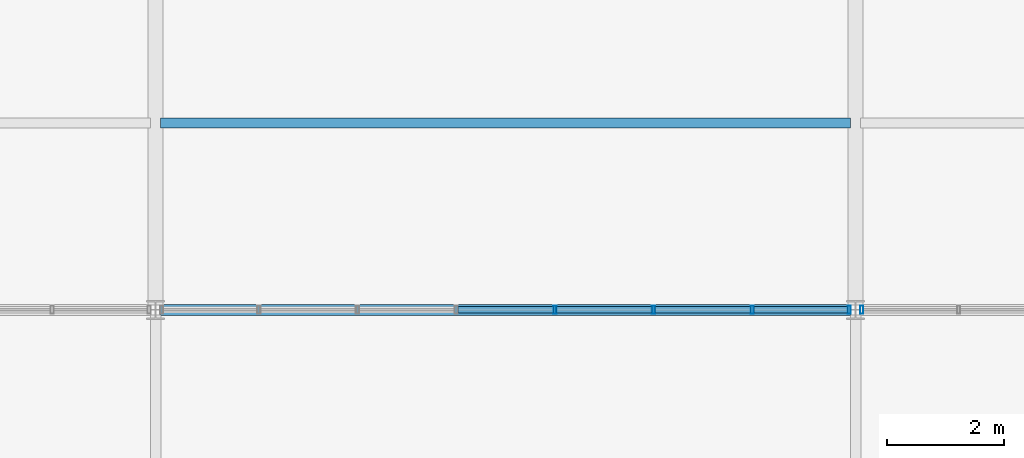
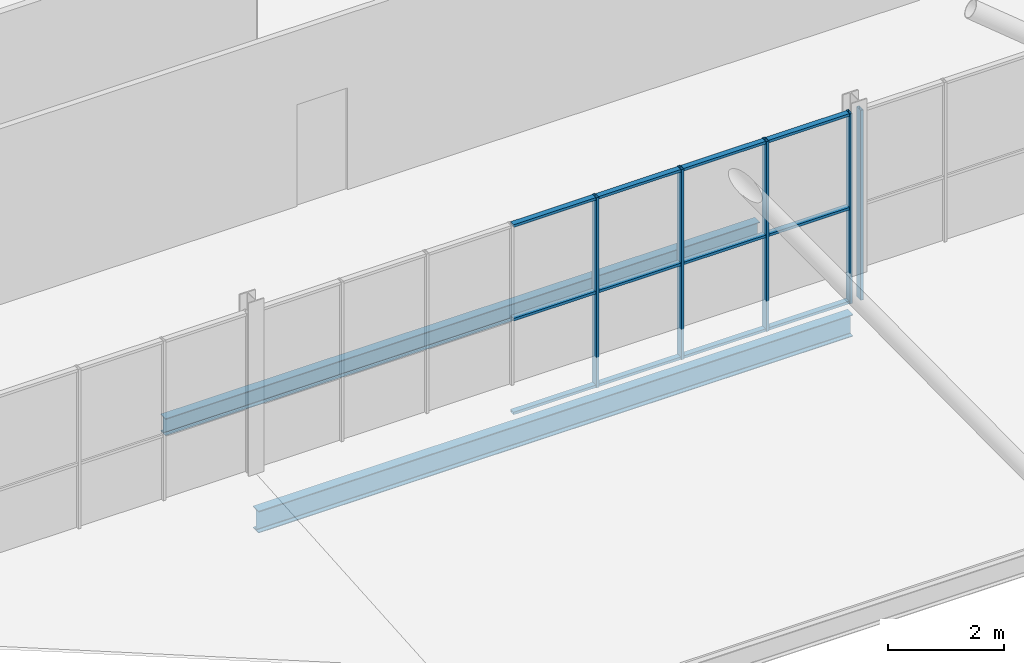
# One storey, part 187 of 324: 17 members, 2 beams, 2 elements without a shape of their own.
"""IFC4 building model written with IfcOpenShell, lengths in metres."""

from ifc_helpers import new_model, si_unit, direction, frame, origin, origin_2d, place, context, subcontext, project, spatial, hollow_rectangle, i_section, extrude, material, layer, layer_set, material_profile, profile_set, type_object, element, aggregate, save


model = new_model("IFC4")

# Units and contexts
model_context = context("Model", 3, precision=1e-05, world=origin(), true_north=direction((0.0, 1.0)))
body_context = subcontext(model_context, "Body", "Model", "MODEL_VIEW")
ifc_project = project(units=[si_unit("LENGTHUNIT", "METRE"), si_unit("AREAUNIT", "SQUARE_METRE"), si_unit("VOLUMEUNIT", "CUBIC_METRE"), si_unit("PLANEANGLEUNIT", "RADIAN"), si_unit("MASSUNIT", "GRAM", prefix="KILO")], contexts=[model_context])

# Site, building, storey
site_placement = place(None, origin())
site = spatial("IfcSite", under=ifc_project, at=site_placement, CompositionType="ELEMENT")
building_placement = place(site_placement, origin())
building = spatial("IfcBuilding", under=site, at=building_placement, Name="Solvenia Promenade Tram Depot", CompositionType="ELEMENT")
storey_placement = place(building_placement, frame((0.0, 0.0, 4.5)))
storey = spatial("IfcBuildingStorey", under=building, at=storey_placement, Name="L01", CompositionType="ELEMENT", Elevation=4.5)

# Curtain wall, members
ifc_material_1 = material(Name="Anodized aluminium AW-6063 T6", Category="aluminium")
ifc_layer = layer(ifc_material_1, 0.179931640625, Name="Anodized aluminium AW-6063 T6", Category="aluminium")
ifc_layer_set = layer_set([ifc_layer], Name="Anodized aluminium AW-6063 T6")
curtain_wall_type = type_object("IfcCurtainWallType", Name="CW-Prom-1800", PredefinedType="NOTDEFINED", material=ifc_layer_set)
curtain_wall_1_placement = place(storey_placement, origin())
curtain_wall_1 = element("IfcCurtainWall", 1, at=curtain_wall_1_placement, inside=storey, type_object=curtain_wall_type, Name="Curtain Wall CW-V5S-L1-04", PredefinedType="NOTDEFINED")
ifc_material_profile_1 = material_profile(ifc_material_1, hollow_rectangle(XDim=0.139892578125, YDim=0.054931640625, WallThickness=0.00390625, at=origin_2d()), Name="ALU-M4", Category="aluminium")
ifc_profile_set_1 = profile_set([ifc_material_profile_1], Name="Anodized aluminium AW-6063 T6")
member_type_1 = type_object("IfcMemberType", Name="CWM-Mullion-4", PredefinedType="MULLION", material=ifc_profile_set_1)
member_1_placement = place(storey_placement, frame((168.845703125, 8.0, 0.0), z_axis=(0.0, 0.0, 1.0), x_axis=(0.0, 1.0, 0.0)))
member_1 = element("IfcMember", 2, at=member_1_placement, type_object=member_type_1, Name="CW-9 mullion 5", PredefinedType="MULLION", context=body_context, shape_type="SweptSolid", body=[
    extrude(hollow_rectangle(XDim=0.139892578125, YDim=0.054931640625, WallThickness=0.00390625, at=origin_2d()), origin(), (0.0, 0.0, 1.0), 4.0),
])
member_2_placement = place(storey_placement, frame((170.537109375, 8.0, 0.0), z_axis=(0.0, 0.0, 1.0), x_axis=(0.0, 1.0, 0.0)))
member_2 = element("IfcMember", 3, at=member_2_placement, type_object=member_type_1, Name="CW-9 mullion 6", PredefinedType="MULLION", context=body_context, shape_type="SweptSolid", body=[
    extrude(hollow_rectangle(XDim=0.139892578125, YDim=0.054931640625, WallThickness=0.00390625, at=origin_2d()), origin(), (0.0, 0.0, 1.0), 4.0),
])
member_3_placement = place(storey_placement, frame((172.228515625, 8.0, 0.0), z_axis=(0.0, 0.0, 1.0), x_axis=(0.0, 1.0, 0.0)))
member_3 = element("IfcMember", 4, at=member_3_placement, type_object=member_type_1, Name="CW-9 mullion 7", PredefinedType="MULLION", context=body_context, shape_type="SweptSolid", body=[
    extrude(hollow_rectangle(XDim=0.139892578125, YDim=0.054931640625, WallThickness=0.00390625, at=origin_2d()), origin(), (0.0, 0.0, 1.0), 4.0),
])
member_4_placement = place(storey_placement, frame((173.892578125, 8.0, 0.0), z_axis=(0.0, 0.0, 1.0), x_axis=(0.0, 1.0, 0.0)))
member_4 = element("IfcMember", 5, at=member_4_placement, type_object=member_type_1, Name="CW-9 mullion 8", PredefinedType="MULLION", context=body_context, shape_type="SweptSolid", body=[
    extrude(hollow_rectangle(XDim=0.139892578125, YDim=0.054931640625, WallThickness=0.00390625, at=origin_2d()), origin(), (0.0, 0.0, 1.0), 4.0),
])

# Curtain wall, member
curtain_wall_2_placement = place(storey_placement, origin())
curtain_wall_2 = element("IfcCurtainWall", 6, at=curtain_wall_2_placement, inside=storey, type_object=curtain_wall_type, Name="Curtain Wall CW-V5S-L1-05", PredefinedType="NOTDEFINED")
member_5_placement = place(storey_placement, frame((174.107421875, 8.0, 0.0), z_axis=(0.0, 0.0, 1.0), x_axis=(0.0, 1.0, 0.0)))
member_5 = element("IfcMember", 7, at=member_5_placement, type_object=member_type_1, Name="CW-9 mullion 1", PredefinedType="MULLION", context=body_context, shape_type="SweptSolid", body=[
    extrude(hollow_rectangle(XDim=0.139892578125, YDim=0.054931640625, WallThickness=0.00390625, at=origin_2d()), origin(), (0.0, 0.0, 1.0), 4.0),
])
aggregate(curtain_wall_2, [member_5])

# Member
ifc_material_profile_2 = material_profile(ifc_material_1, hollow_rectangle(XDim=0.110107421875, YDim=0.054931640625, WallThickness=0.00390625, at=origin_2d()), Name="ALU-T4", Category="aluminium")
ifc_profile_set_2 = profile_set([ifc_material_profile_2], Name="Anodized aluminium AW-6063 T6")
member_type_2 = type_object("IfcMemberType", Name="CWT-Transom-4", PredefinedType="USERDEFINED", material=ifc_profile_set_2)
member_6_placement = place(storey_placement, frame((167.181884765625, 8.0, 0.027587890625), z_axis=(1.0, 0.0, 0.0), x_axis=(0.0, 1.0, 0.0)))
member_6 = element("IfcMember", 8, at=member_6_placement, type_object=member_type_2, Name="CW-9 transom 4.1", ObjectType="TRANSOM", PredefinedType="USERDEFINED", context=body_context, shape_type="SweptSolid", body=[
    extrude(hollow_rectangle(XDim=0.110107421875, YDim=0.054931640625, WallThickness=0.00390625, at=origin_2d()), origin(), (0.0, 0.0, 1.0), 1.63623046875),
])

member_7_placement = place(storey_placement, frame((167.181884765625, 8.0, 2.0), z_axis=(1.0, 0.0, 0.0), x_axis=(0.0, 1.0, 0.0)))
member_7 = element("IfcMember", 9, at=member_7_placement, type_object=member_type_2, Name="CW-9 transom 4.2", ObjectType="TRANSOM", PredefinedType="USERDEFINED", context=body_context, shape_type="SweptSolid", body=[
    extrude(hollow_rectangle(XDim=0.110107421875, YDim=0.054931640625, WallThickness=0.00390625, at=origin_2d()), origin(), (0.0, 0.0, 1.0), 1.63623046875),
])

member_8_placement = place(storey_placement, frame((167.181884765625, 8.0, 3.972412109375), z_axis=(1.0, 0.0, 0.0), x_axis=(0.0, 1.0, 0.0)))
member_8 = element("IfcMember", 10, at=member_8_placement, type_object=member_type_2, Name="CW-9 transom 4.3", ObjectType="TRANSOM", PredefinedType="USERDEFINED", context=body_context, shape_type="SweptSolid", body=[
    extrude(hollow_rectangle(XDim=0.110107421875, YDim=0.054931640625, WallThickness=0.00390625, at=origin_2d()), origin(), (0.0, 0.0, 1.0), 1.63623046875),
])

member_9_placement = place(storey_placement, frame((168.873291015625, 8.0, 0.027587890625), z_axis=(1.0, 0.0, 0.0), x_axis=(0.0, 1.0, 0.0)))
member_9 = element("IfcMember", 11, at=member_9_placement, type_object=member_type_2, Name="CW-9 transom 5.1", ObjectType="TRANSOM", PredefinedType="USERDEFINED", context=body_context, shape_type="SweptSolid", body=[
    extrude(hollow_rectangle(XDim=0.110107421875, YDim=0.054931640625, WallThickness=0.00390625, at=origin_2d()), origin(), (0.0, 0.0, 1.0), 1.63623046875),
])

member_10_placement = place(storey_placement, frame((168.873291015625, 8.0, 2.0), z_axis=(1.0, 0.0, 0.0), x_axis=(0.0, 1.0, 0.0)))
member_10 = element("IfcMember", 12, at=member_10_placement, type_object=member_type_2, Name="CW-9 transom 5.2", ObjectType="TRANSOM", PredefinedType="USERDEFINED", context=body_context, shape_type="SweptSolid", body=[
    extrude(hollow_rectangle(XDim=0.110107421875, YDim=0.054931640625, WallThickness=0.00390625, at=origin_2d()), origin(), (0.0, 0.0, 1.0), 1.63623046875),
])

member_11_placement = place(storey_placement, frame((168.873291015625, 8.0, 3.972412109375), z_axis=(1.0, 0.0, 0.0), x_axis=(0.0, 1.0, 0.0)))
member_11 = element("IfcMember", 13, at=member_11_placement, type_object=member_type_2, Name="CW-9 transom 5.3", ObjectType="TRANSOM", PredefinedType="USERDEFINED", context=body_context, shape_type="SweptSolid", body=[
    extrude(hollow_rectangle(XDim=0.110107421875, YDim=0.054931640625, WallThickness=0.00390625, at=origin_2d()), origin(), (0.0, 0.0, 1.0), 1.63623046875),
])

member_12_placement = place(storey_placement, frame((170.564697265625, 8.0, 0.027587890625), z_axis=(1.0, 0.0, 0.0), x_axis=(0.0, 1.0, 0.0)))
member_12 = element("IfcMember", 14, at=member_12_placement, type_object=member_type_2, Name="CW-9 transom 6.1", ObjectType="TRANSOM", PredefinedType="USERDEFINED", context=body_context, shape_type="SweptSolid", body=[
    extrude(hollow_rectangle(XDim=0.110107421875, YDim=0.054931640625, WallThickness=0.00390625, at=origin_2d()), origin(), (0.0, 0.0, 1.0), 1.636474609375),
])

member_13_placement = place(storey_placement, frame((170.564697265625, 8.0, 2.0), z_axis=(1.0, 0.0, 0.0), x_axis=(0.0, 1.0, 0.0)))
member_13 = element("IfcMember", 15, at=member_13_placement, type_object=member_type_2, Name="CW-9 transom 6.2", ObjectType="TRANSOM", PredefinedType="USERDEFINED", context=body_context, shape_type="SweptSolid", body=[
    extrude(hollow_rectangle(XDim=0.110107421875, YDim=0.054931640625, WallThickness=0.00390625, at=origin_2d()), origin(), (0.0, 0.0, 1.0), 1.636474609375),
])

member_14_placement = place(storey_placement, frame((170.564697265625, 8.0, 3.972412109375), z_axis=(1.0, 0.0, 0.0), x_axis=(0.0, 1.0, 0.0)))
member_14 = element("IfcMember", 16, at=member_14_placement, type_object=member_type_2, Name="CW-9 transom 6.3", ObjectType="TRANSOM", PredefinedType="USERDEFINED", context=body_context, shape_type="SweptSolid", body=[
    extrude(hollow_rectangle(XDim=0.110107421875, YDim=0.054931640625, WallThickness=0.00390625, at=origin_2d()), origin(), (0.0, 0.0, 1.0), 1.636474609375),
])

member_15_placement = place(storey_placement, frame((172.256103515625, 8.0, 0.027587890625), z_axis=(1.0, 0.0, 0.0), x_axis=(0.0, 1.0, 0.0)))
member_15 = element("IfcMember", 17, at=member_15_placement, type_object=member_type_2, Name="CW-9 transom 7.1", ObjectType="TRANSOM", PredefinedType="USERDEFINED", context=body_context, shape_type="SweptSolid", body=[
    extrude(hollow_rectangle(XDim=0.110107421875, YDim=0.054931640625, WallThickness=0.00390625, at=origin_2d()), origin(), (0.0, 0.0, 1.0), 1.60888671875),
])

member_16_placement = place(storey_placement, frame((172.256103515625, 8.0, 2.0), z_axis=(1.0, 0.0, 0.0), x_axis=(0.0, 1.0, 0.0)))
member_16 = element("IfcMember", 18, at=member_16_placement, type_object=member_type_2, Name="CW-9 transom 7.2", ObjectType="TRANSOM", PredefinedType="USERDEFINED", context=body_context, shape_type="SweptSolid", body=[
    extrude(hollow_rectangle(XDim=0.110107421875, YDim=0.054931640625, WallThickness=0.00390625, at=origin_2d()), origin(), (0.0, 0.0, 1.0), 1.60888671875),
])

member_17_placement = place(storey_placement, frame((172.256103515625, 8.0, 3.972412109375), z_axis=(1.0, 0.0, 0.0), x_axis=(0.0, 1.0, 0.0)))
member_17 = element("IfcMember", 19, at=member_17_placement, type_object=member_type_2, Name="CW-9 transom 7.3", ObjectType="TRANSOM", PredefinedType="USERDEFINED", context=body_context, shape_type="SweptSolid", body=[
    extrude(hollow_rectangle(XDim=0.110107421875, YDim=0.054931640625, WallThickness=0.00390625, at=origin_2d()), origin(), (0.0, 0.0, 1.0), 1.60888671875),
])

aggregate(curtain_wall_1, [member_1, member_2, member_3, member_4, member_6, member_7, member_8, member_9, member_10, member_11, member_12, member_13, member_14, member_15, member_16, member_17])

# Beams
ifc_material_2 = material(Name="Structural steel ASTM A992 Gr. 50", Category="steel")
ifc_material_profile_3 = material_profile(ifc_material_2, i_section(OverallWidth=0.172119140625, OverallDepth=0.35791015625, WebThickness=0.0078125, FlangeThickness=0.01318359375, FilletRadius=0.010986328125, at=origin_2d()), Name="W360x57", Category="steel")
ifc_profile_set_3 = profile_set([ifc_material_profile_3], Name="Structural steel ASTM A992 Gr. 50")
beam_type_1 = type_object("IfcBeamType", Name="Joist-W360x57", PredefinedType="JOIST", material=ifc_profile_set_3)
beam_1_placement = place(storey_placement, frame((162.0849609375, 11.199951171875, -0.39892578125), z_axis=(1.0, 0.0, 0.0), x_axis=(0.0, 1.0, 0.0)))
element("IfcBeam", 20, at=beam_1_placement, inside=storey, type_object=beam_type_1, Name="Secondary Floor Joist BM-L01-0440", PredefinedType="JOIST", context=body_context, shape_type="SweptSolid", body=[
    extrude(i_section(OverallWidth=0.172119140625, OverallDepth=0.35791015625, WebThickness=0.0078125, FlangeThickness=0.01318359375, FilletRadius=0.010986328125, at=origin_2d()), origin(), (0.0, 0.0, 1.0), 11.830078125),
])
ifc_material_profile_4 = material_profile(ifc_material_2, i_section(OverallWidth=0.19091796875, OverallDepth=0.4599609375, WebThickness=0.010009765625, FlangeThickness=0.01611328125, FilletRadius=0.012939453125, at=origin_2d()), Name="W460x82", Category="steel")
ifc_profile_set_4 = profile_set([ifc_material_profile_4], Name="Structural steel ASTM A992 Gr. 50")
beam_type_2 = type_object("IfcBeamType", Name="Spandrel-W460x82", PredefinedType="SPANDREL", material=ifc_profile_set_4)
beam_2_placement = place(storey_placement, frame((162.0849609375, 8.0, -0.449951171875), z_axis=(1.0, 0.0, 0.0), x_axis=(0.0, 1.0, 0.0)))
element("IfcBeam", 21, at=beam_2_placement, inside=storey, type_object=beam_type_2, Name="Perimeter Spandrel BM-L01-0417", PredefinedType="SPANDREL", context=body_context, shape_type="SweptSolid", body=[
    extrude(i_section(OverallWidth=0.19091796875, OverallDepth=0.4599609375, WebThickness=0.010009765625, FlangeThickness=0.01611328125, FilletRadius=0.012939453125, at=origin_2d()), origin(), (0.0, 0.0, 1.0), 11.830078125),
])

save(model, "model.ifc")
